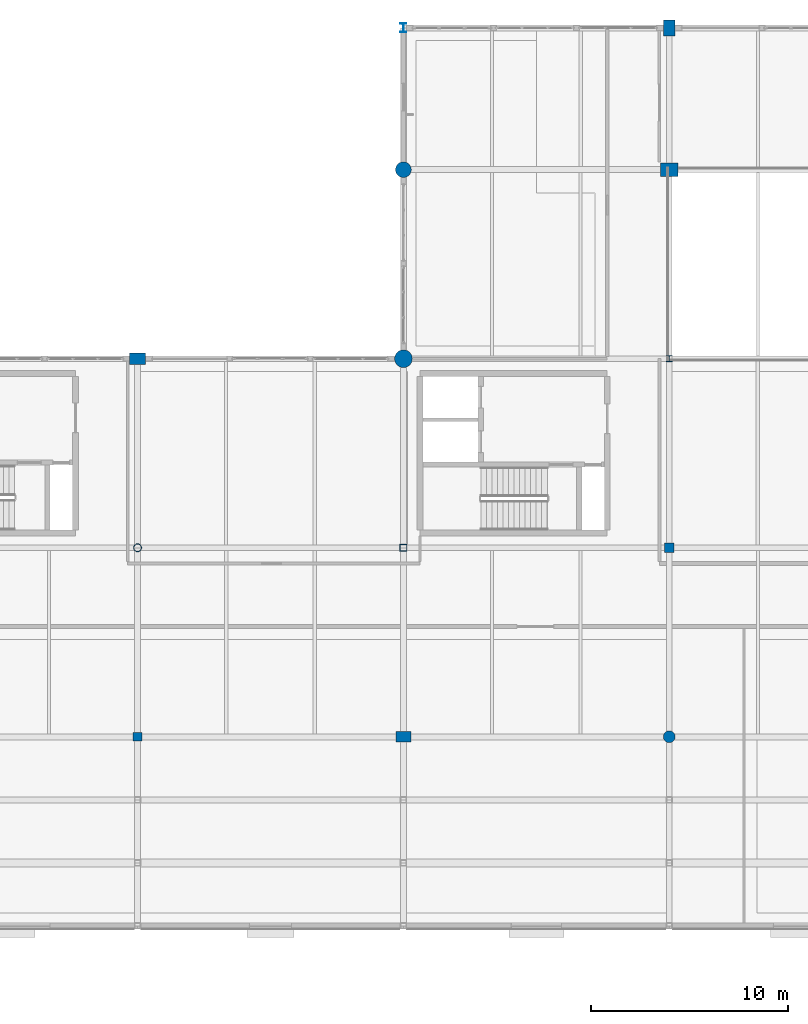
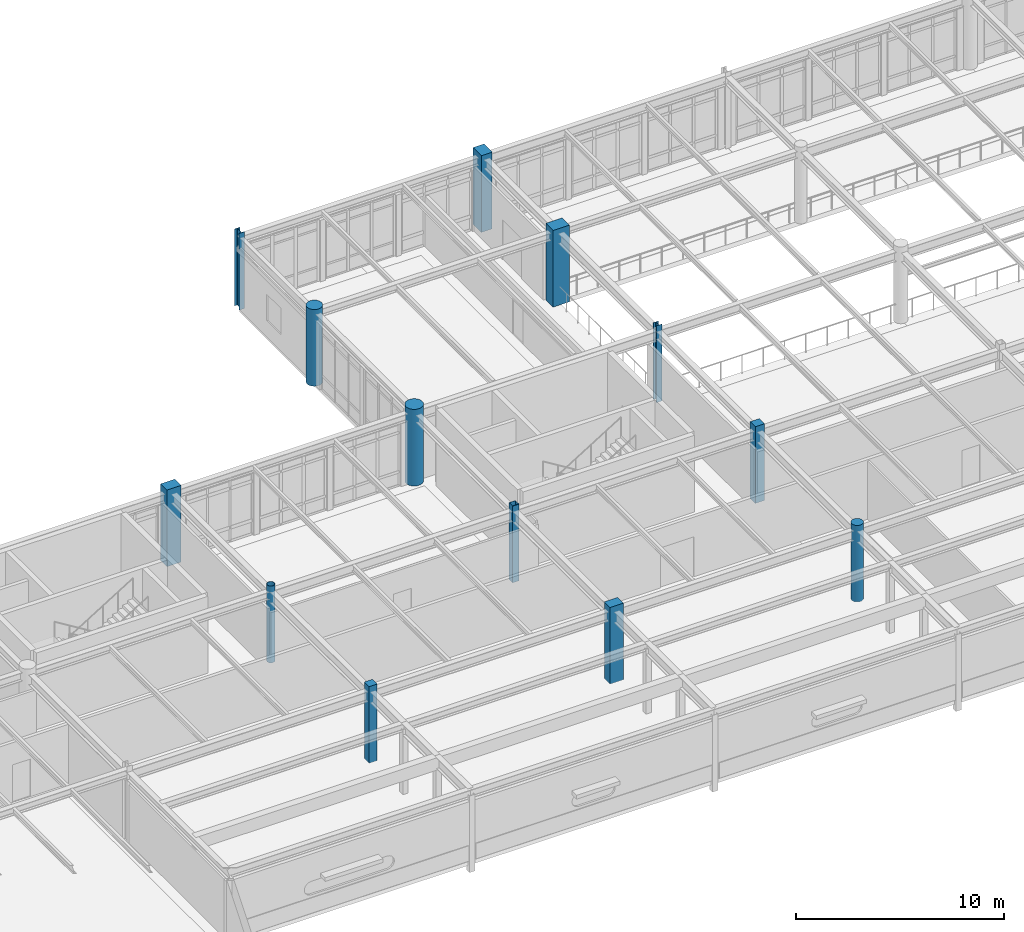
# One storey, part 2 of 61: 13 columns.
"""IFC4 building model written with IfcOpenShell, lengths in metres."""

from ifc_helpers import new_model, si_unit, direction, frame, origin, origin_2d, place, context, subcontext, project, spatial, rectangle, hollow_rectangle, circle, hollow_circle, i_section, extrude, material, material_profile, profile_set, type_object, element, save


model = new_model("IFC4")

# Units and contexts
model_context = context("Model", 3, precision=1e-05, world=origin(), true_north=direction((0.0, 1.0)))
body_context = subcontext(model_context, "Body", "Model", "MODEL_VIEW")
ifc_project = project(units=[si_unit("LENGTHUNIT", "METRE"), si_unit("AREAUNIT", "SQUARE_METRE"), si_unit("VOLUMEUNIT", "CUBIC_METRE"), si_unit("PLANEANGLEUNIT", "RADIAN"), si_unit("MASSUNIT", "GRAM", prefix="KILO")], contexts=[model_context])

# Site, building, storey
site_placement = place(None, origin())
site = spatial("IfcSite", under=ifc_project, at=site_placement, CompositionType="ELEMENT")
building_placement = place(site_placement, origin())
building = spatial("IfcBuilding", under=site, at=building_placement, Name="Fikremerkos Civic Library", CompositionType="ELEMENT")
storey_placement = place(building_placement, frame((0.0, 0.0, 14.39990234375)))
storey = spatial("IfcBuildingStorey", under=building, at=storey_placement, Name="L03", CompositionType="ELEMENT", Elevation=14.39990234375)

# Columns
ifc_material_1 = material(Name="Concrete C40/50", Category="concrete")
ifc_material_profile_1 = material_profile(ifc_material_1, rectangle(XDim=0.5, YDim=0.5, at=origin_2d()), Name="RC 500x500")
ifc_profile_set_1 = profile_set([ifc_material_profile_1], Name="Concrete C40/50")
column_type_1 = type_object("IfcColumnType", Name="Structural column COL-11 RC 500x500", PredefinedType="COLUMN", material=ifc_profile_set_1)
column_1_placement = place(storey_placement, frame((59.699951171875, 21.60009765625, 0.0), z_axis=(0.0, 0.0, 1.0), x_axis=(1.0, 0.0, 0.0)))
element("IfcColumn", 1, at=column_1_placement, inside=storey, type_object=column_type_1, Name="Column COL-11 L03 6/F", PredefinedType="COLUMN", context=body_context, shape_type="SweptSolid", body=[
    extrude(rectangle(XDim=0.5, YDim=0.5, at=origin_2d()), origin(), (0.0, 0.0, 1.0), 4.5),
])
ifc_material_profile_2 = material_profile(ifc_material_1, rectangle(XDim=0.449951171875, YDim=0.449951171875, at=origin_2d()), Name="RC 450x450")
ifc_profile_set_2 = profile_set([ifc_material_profile_2], Name="Concrete C40/50")
column_type_2 = type_object("IfcColumnType", Name="Structural column COL-12 RC 450x450", PredefinedType="COLUMN", material=ifc_profile_set_2)
column_2_placement = place(storey_placement, frame((32.699951171875, 12.0, 0.0), z_axis=(0.0, 0.0, 1.0), x_axis=(1.0, 0.0, 0.0)))
element("IfcColumn", 2, at=column_2_placement, inside=storey, type_object=column_type_2, Name="Column COL-12 L03 4/E", PredefinedType="COLUMN", context=body_context, shape_type="SweptSolid", body=[
    extrude(rectangle(XDim=0.449951171875, YDim=0.449951171875, at=origin_2d()), origin(), (0.0, 0.0, 1.0), 4.5),
])
ifc_material_profile_3 = material_profile(ifc_material_1, rectangle(XDim=0.89990234375, YDim=0.699951171875, at=origin_2d()), Name="RC 900x700")
ifc_profile_set_3 = profile_set([ifc_material_profile_3], Name="Concrete C40/50")
column_type_3 = type_object("IfcColumnType", Name="Structural column COL-13 RC 900x700", PredefinedType="COLUMN", material=ifc_profile_set_3)
column_3_placement = place(storey_placement, frame((59.699951171875, 40.800048828125, 0.0), z_axis=(0.0, 0.0, 1.0), x_axis=(1.0, 0.0, 0.0)))
element("IfcColumn", 3, at=column_3_placement, inside=storey, type_object=column_type_3, Name="Column COL-13 L03 6/H", PredefinedType="COLUMN", context=body_context, shape_type="SweptSolid", body=[
    extrude(rectangle(XDim=0.89990234375, YDim=0.699951171875, at=origin_2d()), origin(), (0.0, 0.0, 1.0), 4.5),
])
ifc_material_profile_4 = material_profile(ifc_material_1, rectangle(XDim=0.800048828125, YDim=0.60009765625, at=origin_2d()), Name="RC 800x600")
ifc_profile_set_4 = profile_set([ifc_material_profile_4], Name="Concrete C40/50")
column_type_4 = type_object("IfcColumnType", Name="Structural column COL-14 RC 800x600", PredefinedType="COLUMN", material=ifc_profile_set_4)
for number, where, z_axis, x_axis, name in (
    (4, (32.699951171875, 31.199951171875, 0.0), (0.0, 0.0, 1.0), (1.0, 0.0, 0.0), "Column COL-14 L03 4/G"),
    (5, (59.699951171875, 48.0, 0.0), (0.0, 0.0, 1.0), (0.0, 1.0, 0.0), "Column COL-14 L03 6/J"),
):
    element("IfcColumn", number, at=place(storey_placement, frame(where, z_axis=z_axis, x_axis=x_axis)), inside=storey, type_object=column_type_4, Name=name, PredefinedType="COLUMN", context=body_context, shape_type="SweptSolid", body=[
        extrude(rectangle(XDim=0.800048828125, YDim=0.60009765625, at=origin_2d()), origin(), (0.0, 0.0, 1.0), 4.5),
    ])
ifc_material_profile_5 = material_profile(ifc_material_1, rectangle(XDim=0.75, YDim=0.550048828125, at=origin_2d()), Name="RC 750x550")
ifc_profile_set_5 = profile_set([ifc_material_profile_5], Name="Concrete C40/50")
column_type_5 = type_object("IfcColumnType", Name="Structural column COL-15 RC 750x550", PredefinedType="COLUMN", material=ifc_profile_set_5)
column_4_placement = place(storey_placement, frame((46.199951171875, 12.0, 0.0), z_axis=(0.0, 0.0, 1.0), x_axis=(1.0, 0.0, 0.0)))
element("IfcColumn", 6, at=column_4_placement, inside=storey, type_object=column_type_5, Name="Column COL-15 L03 5/E", PredefinedType="COLUMN", context=body_context, shape_type="SweptSolid", body=[
    extrude(rectangle(XDim=0.75, YDim=0.550048828125, at=origin_2d()), origin(), (0.0, 0.0, 1.0), 4.5),
])
ifc_material_2 = material(Name="Concrete C45/55", Category="concrete")
ifc_material_profile_6 = material_profile(ifc_material_2, circle(Radius=0.449951171875, at=origin_2d()), Name="RC D900")
ifc_profile_set_6 = profile_set([ifc_material_profile_6], Name="Concrete C45/55")
column_type_6 = type_object("IfcColumnType", Name="Structural column COL-17 RC D900", PredefinedType="COLUMN", material=ifc_profile_set_6)
column_5_placement = place(storey_placement, frame((46.199951171875, 31.199951171875, 0.0), z_axis=(0.0, 0.0, 1.0), x_axis=(1.0, 0.0, 0.0)))
element("IfcColumn", 7, at=column_5_placement, inside=storey, type_object=column_type_6, Name="Column COL-17 L03 5/G", PredefinedType="COLUMN", context=body_context, shape_type="SweptSolid", body=[
    extrude(circle(Radius=0.449951171875, at=origin_2d()), origin(), (0.0, 0.0, 1.0), 4.5),
])
ifc_material_profile_7 = material_profile(ifc_material_1, circle(Radius=0.39990234375, at=origin_2d()), Name="RC D800")
ifc_profile_set_7 = profile_set([ifc_material_profile_7], Name="Concrete C40/50")
column_type_7 = type_object("IfcColumnType", Name="Structural column COL-18 RC D800", PredefinedType="COLUMN", material=ifc_profile_set_7)
column_6_placement = place(storey_placement, frame((46.199951171875, 40.800048828125, 0.0), z_axis=(0.0, 0.0, 1.0), x_axis=(1.0, 0.0, 0.0)))
element("IfcColumn", 8, at=column_6_placement, inside=storey, type_object=column_type_7, Name="Column COL-18 L03 5/H", PredefinedType="COLUMN", context=body_context, shape_type="SweptSolid", body=[
    extrude(circle(Radius=0.39990234375, at=origin_2d()), origin(), (0.0, 0.0, 1.0), 4.5),
])
ifc_material_profile_8 = material_profile(ifc_material_1, circle(Radius=0.300048828125, at=origin_2d()), Name="RC D600")
ifc_profile_set_8 = profile_set([ifc_material_profile_8], Name="Concrete C40/50")
column_type_8 = type_object("IfcColumnType", Name="Structural column COL-20 RC D600", PredefinedType="COLUMN", material=ifc_profile_set_8)
column_7_placement = place(storey_placement, frame((59.699951171875, 12.0, 0.0), z_axis=(0.0, 0.0, 1.0), x_axis=(1.0, 0.0, 0.0)))
element("IfcColumn", 9, at=column_7_placement, inside=storey, type_object=column_type_8, Name="Column COL-20 L03 6/E", PredefinedType="COLUMN", context=body_context, shape_type="SweptSolid", body=[
    extrude(circle(Radius=0.300048828125, at=origin_2d()), origin(), (0.0, 0.0, 1.0), 4.5),
])
ifc_material_3 = material(Name="Steel S355", Category="steel")
ifc_material_profile_9 = material_profile(ifc_material_3, i_section(OverallWidth=0.300048828125, OverallDepth=0.449951171875, WebThickness=0.013916015625, FlangeThickness=0.02587890625, FilletRadius=0.027099609375, at=origin_2d()), Name="HEB 450")
ifc_profile_set_9 = profile_set([ifc_material_profile_9], Name="Steel S355")
column_type_9 = type_object("IfcColumnType", Name="Structural column COL-23 HEB 450", PredefinedType="COLUMN", material=ifc_profile_set_9)
column_8_placement = place(storey_placement, frame((46.199951171875, 48.0, 0.0), z_axis=(0.0, 0.0, 1.0), x_axis=(1.0, 0.0, 0.0)))
element("IfcColumn", 10, at=column_8_placement, inside=storey, type_object=column_type_9, Name="Column COL-23 L03 5/J", PredefinedType="COLUMN", context=body_context, shape_type="SweptSolid", body=[
    extrude(i_section(OverallWidth=0.300048828125, OverallDepth=0.449951171875, WebThickness=0.013916015625, FlangeThickness=0.02587890625, FilletRadius=0.027099609375, at=origin_2d()), origin(), (0.0, 0.0, 1.0), 4.5),
])
ifc_material_profile_10 = material_profile(ifc_material_3, i_section(OverallWidth=0.300048828125, OverallDepth=0.320068359375, WebThickness=0.011474609375, FlangeThickness=0.0205078125, FilletRadius=0.027099609375, at=origin_2d()), Name="HEB 320")
ifc_profile_set_10 = profile_set([ifc_material_profile_10], Name="Steel S355")
column_type_10 = type_object("IfcColumnType", Name="Structural column COL-26 HEB 320", PredefinedType="COLUMN", material=ifc_profile_set_10)
column_9_placement = place(storey_placement, frame((59.699951171875, 31.199951171875, 0.0), z_axis=(0.0, 0.0, 1.0), x_axis=(1.0, 0.0, 0.0)))
element("IfcColumn", 11, at=column_9_placement, inside=storey, type_object=column_type_10, Name="Column COL-26 L03 6/G", PredefinedType="COLUMN", context=body_context, shape_type="SweptSolid", body=[
    extrude(i_section(OverallWidth=0.300048828125, OverallDepth=0.320068359375, WebThickness=0.011474609375, FlangeThickness=0.0205078125, FilletRadius=0.027099609375, at=origin_2d()), origin(), (0.0, 0.0, 1.0), 4.5),
])
ifc_material_profile_11 = material_profile(ifc_material_3, hollow_circle(Radius=0.203125, WallThickness=0.01611328125, at=origin_2d()), Name="CHS 406.4x16")
ifc_profile_set_11 = profile_set([ifc_material_profile_11], Name="Steel S355")
column_type_11 = type_object("IfcColumnType", Name="Structural column COL-29 CHS 406.4x16", PredefinedType="COLUMN", material=ifc_profile_set_11)
column_10_placement = place(storey_placement, frame((32.699951171875, 21.60009765625, 0.0), z_axis=(0.0, 0.0, 1.0), x_axis=(1.0, 0.0, 0.0)))
element("IfcColumn", 12, at=column_10_placement, inside=storey, type_object=column_type_11, Name="Column COL-29 L03 4/F", PredefinedType="COLUMN", context=body_context, shape_type="SweptSolid", body=[
    extrude(hollow_circle(Radius=0.203125, WallThickness=0.01611328125, at=origin_2d()), origin(), (0.0, 0.0, 1.0), 4.5),
])
ifc_material_profile_12 = material_profile(ifc_material_3, hollow_rectangle(XDim=0.35009765625, YDim=0.35009765625, WallThickness=0.01611328125, at=origin_2d()), Name="SHS 350x350x16")
ifc_profile_set_12 = profile_set([ifc_material_profile_12], Name="Steel S355")
column_type_12 = type_object("IfcColumnType", Name="Structural column COL-32 SHS 350x350x16", PredefinedType="COLUMN", material=ifc_profile_set_12)
column_11_placement = place(storey_placement, frame((46.199951171875, 21.60009765625, 0.0), z_axis=(0.0, 0.0, 1.0), x_axis=(1.0, 0.0, 0.0)))
element("IfcColumn", 13, at=column_11_placement, inside=storey, type_object=column_type_12, Name="Column COL-32 L03 5/F", PredefinedType="COLUMN", context=body_context, shape_type="SweptSolid", body=[
    extrude(hollow_rectangle(XDim=0.35009765625, YDim=0.35009765625, WallThickness=0.01611328125, at=origin_2d()), origin(), (0.0, 0.0, 1.0), 4.5),
])

save(model, "model.ifc")
